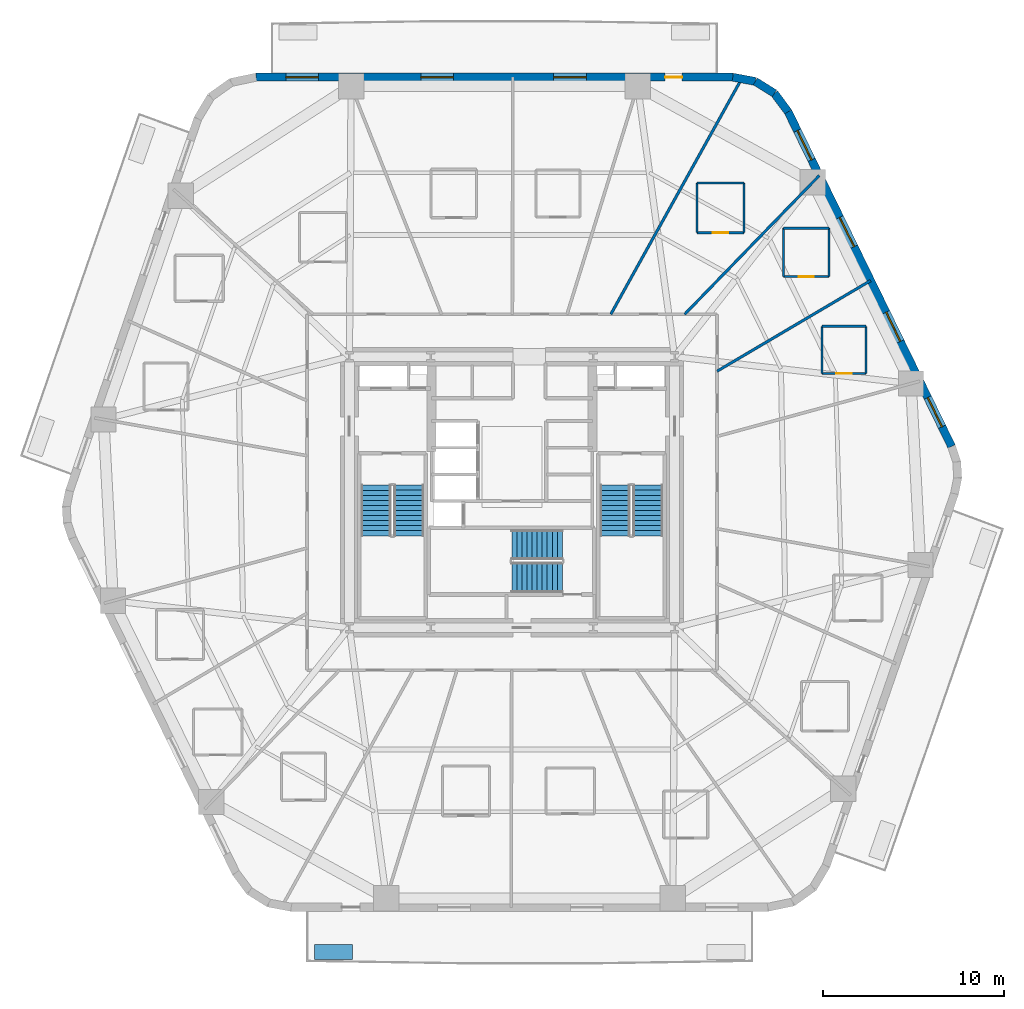
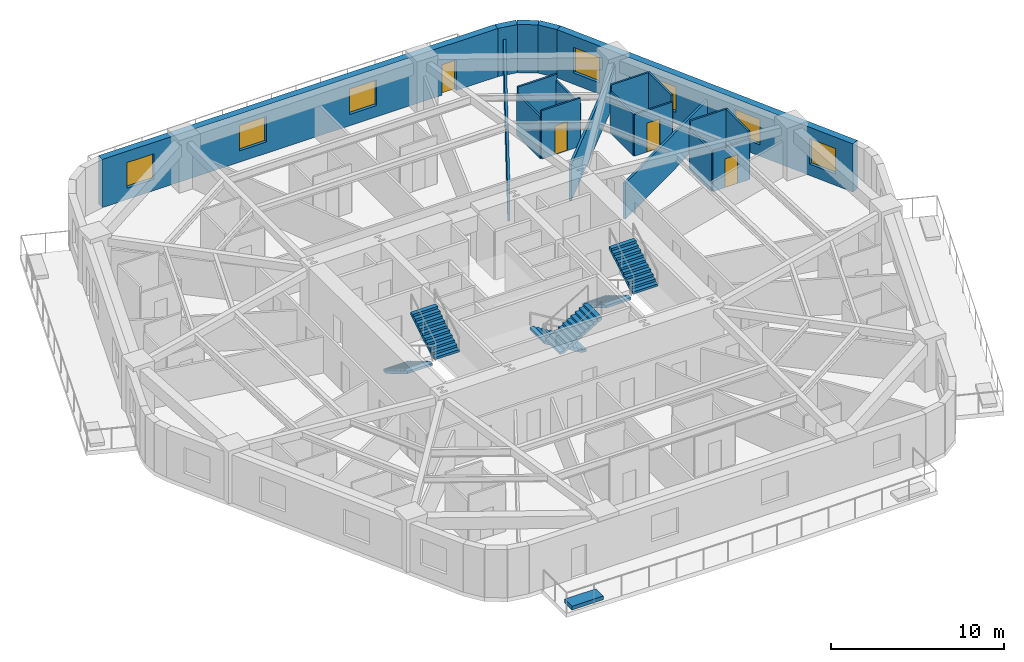
# One storey, part 7 of 11: 20 walls, 7 windows, 6 stair flights, 4 doors, 1 discrete accessory, 11 openings, 3 elements without a shape of their own.
"""IFC4 building model written with IfcOpenShell, lengths in metres."""

from ifc_helpers import new_model, si_unit, direction, frame, frame_2d, origin, origin_2d, place, context, subcontext, project, spatial, polyline, rectangle, outline, extrude, material, layer, layer_set, type_object, element, fill, aggregate, save


model = new_model("IFC4")

# Units and contexts
model_context = context("Model", 3, precision=1e-05, world=origin(), true_north=direction((0.0, 1.0)))
body_context = subcontext(model_context, "Body", "Model", "MODEL_VIEW")
ifc_project = project(units=[si_unit("LENGTHUNIT", "METRE"), si_unit("AREAUNIT", "SQUARE_METRE"), si_unit("VOLUMEUNIT", "CUBIC_METRE"), si_unit("PLANEANGLEUNIT", "RADIAN"), si_unit("MASSUNIT", "GRAM", prefix="KILO")], contexts=[model_context])

# Site, building, storey
site_placement = place(None, origin())
site = spatial("IfcSite", under=ifc_project, at=site_placement, CompositionType="ELEMENT")
building_placement = place(site_placement, origin())
building = spatial("IfcBuilding", under=site, at=building_placement, Name="Kilnhurst Terrace Hotel", CompositionType="ELEMENT")
storey_placement = place(building_placement, frame((0.0, 0.0, 34.199951171875)))
storey = spatial("IfcBuildingStorey", under=building, at=storey_placement, Name="L06", CompositionType="ELEMENT", Elevation=34.199951171875)

# Walls
ifc_material_1 = material(Name="Precast concrete C40/50", Category="concrete")
ifc_layer_1 = layer(ifc_material_1, 0.449951171875, Name="Precast concrete C40/50")
ifc_layer_set_1 = layer_set([ifc_layer_1], Name="Precast concrete C40/50")
wall_type_1 = type_object("IfcWallType", Name="WL-BRK-450", PredefinedType="SOLIDWALL", material=ifc_layer_set_1)
wall_1_placement = place(storey_placement, frame((15.28369140625, 21.0625, 0.0), z_axis=(0.0, 0.0, 1.0), x_axis=(-0.597595366449, 0.801797841104, 0.0)))
element("IfcWall", 1, at=wall_1_placement, inside=storey, type_object=wall_type_1, Name="L06 Rounded Corner Brick Wall C4.1", PredefinedType="SOLIDWALL", context=body_context, shape_type="SweptSolid", body=[
    extrude(rectangle(XDim=1.2685546875, YDim=0.449951171875, at=frame_2d((0.63427734375, 0.0))), origin(), (0.0, 0.0, 1.0), 3.400146484375),
])
wall_2_placement = place(storey_placement, frame((14.525634765625, 22.07958984375, 0.0), z_axis=(0.0, 0.0, 1.0), x_axis=(-0.848185203596, 0.529699783275, 0.0)))
element("IfcWall", 2, at=wall_2_placement, inside=storey, type_object=wall_type_1, Name="L06 Rounded Corner Brick Wall C4.2", PredefinedType="SOLIDWALL", context=body_context, shape_type="SweptSolid", body=[
    extrude(rectangle(XDim=1.247314453125, YDim=0.449951171875, at=frame_2d((0.62353515625, 0.0))), origin(), (0.0, 0.0, 1.0), 3.400146484375),
])
wall_3_placement = place(storey_placement, frame((13.4677734375, 22.740234375, 0.0), z_axis=(0.0, 0.0, 1.0), x_axis=(-0.982717174228, 0.185113358451, 0.0)))
element("IfcWall", 3, at=wall_3_placement, inside=storey, type_object=wall_type_1, Name="L06 Rounded Corner Brick Wall C4.3", PredefinedType="SOLIDWALL", context=body_context, shape_type="SweptSolid", body=[
    extrude(rectangle(XDim=1.268798828125, YDim=0.449951171875, at=frame_2d((0.63427734375, 0.0))), origin(), (0.0, 0.0, 1.0), 3.400146484375),
])

# Wall, openings, windows
wall_4_placement = place(storey_placement, frame((24.335693359375, 2.532470703125, 0.0), z_axis=(0.0, 0.0, 1.0), x_axis=(-0.438931326393, 0.898520612291, 0.0)))
wall_4 = element("IfcWall", 4, at=wall_4_placement, inside=storey, type_object=wall_type_1, Name="L06 Exterior Brick Facade Wall F3", PredefinedType="SOLIDWALL", context=body_context, shape_type="SweptSolid", body=[
    extrude(rectangle(XDim=20.622802734375, YDim=0.449951171875, at=frame_2d((10.3115234375, 0.0))), origin(), (0.0, 0.0, 1.0), 3.400146484375),
])
opening_1_placement = place(wall_4_placement, frame((6.469970703125, 0.0, 0.800048828125)))
opening_1 = element("IfcOpeningElement", 5, at=opening_1_placement, cuts=wall_4, Name="Opening W-01", PredefinedType="OPENING", context=body_context, shape_type="SweptSolid", body=[
    extrude(rectangle(XDim=1.800048828125, YDim=1.800048828125, at=frame_2d((0.89990234375, 0.89990234375))), frame((0.0, 0.23486328125, 0.0), z_axis=(0.0, -1.0, 0.0), x_axis=(1.0, 0.0, 0.0)), (0.0, 0.0, 1.0), 0.469970703125),
])
opening_2_placement = place(wall_4_placement, frame((12.31103515625, 0.0, 0.800048828125)))
opening_2 = element("IfcOpeningElement", 6, at=opening_2_placement, cuts=wall_4, Name="Opening W-01", PredefinedType="OPENING", context=body_context, shape_type="SweptSolid", body=[
    extrude(rectangle(XDim=1.800048828125, YDim=1.800048828125, at=frame_2d((0.89990234375, 0.89990234375))), frame((0.0, 0.23486328125, 0.0), z_axis=(0.0, -1.0, 0.0), x_axis=(1.0, 0.0, 0.0)), (0.0, 0.0, 1.0), 0.469970703125),
])
opening_3_placement = place(wall_4_placement, frame((17.659912109375, 0.0, 0.800048828125)))
opening_3 = element("IfcOpeningElement", 7, at=opening_3_placement, cuts=wall_4, Name="Opening W-01", PredefinedType="OPENING", context=body_context, shape_type="SweptSolid", body=[
    extrude(rectangle(XDim=1.800048828125, YDim=1.800048828125, at=frame_2d((0.89990234375, 0.89990234375))), frame((0.0, 0.23486328125, 0.0), z_axis=(0.0, -1.0, 0.0), x_axis=(1.0, 0.0, 0.0)), (0.0, 0.0, 1.0), 0.469970703125),
])
opening_4_placement = place(wall_4_placement, frame((1.214111328125, 0.0, 0.800048828125)))
opening_4 = element("IfcOpeningElement", 8, at=opening_4_placement, cuts=wall_4, Name="Opening W-01", PredefinedType="OPENING", context=body_context, shape_type="SweptSolid", body=[
    extrude(rectangle(XDim=1.800048828125, YDim=1.800048828125, at=frame_2d((0.89990234375, 0.89990234375))), frame((0.0, 0.23486328125, 0.0), z_axis=(0.0, -1.0, 0.0), x_axis=(1.0, 0.0, 0.0)), (0.0, 0.0, 1.0), 0.469970703125),
])
ifc_material_2 = material(Name="Thermally Broken Bronze Aluminium Alloy 6063-T6 and Low-E Glass", Category="aluminium")
window_type = type_object("IfcWindowType", Name="WIN-1800X1800", PartitioningType="SINGLE_PANEL", PredefinedType="WINDOW", material=ifc_material_2)
window_1_placement = place(opening_1_placement, origin())
window_1 = element("IfcWindow", 9, at=window_1_placement, inside=storey, type_object=window_type, Name="L06 Deep-Set Masonry Window F3.1", OverallHeight=1.800048828125, OverallWidth=1.800048828125, PartitioningType="SINGLE_PANEL", PredefinedType="WINDOW", context=body_context, shape_type="SweptSolid", body=[
    extrude(rectangle(XDim=1.800048828125, YDim=1.800048828125, at=frame_2d((0.89990234375, 0.89990234375))), frame((0.0, 0.030029296875, 0.0), z_axis=(0.0, -1.0, 0.0), x_axis=(1.0, 0.0, 0.0)), (0.0, 0.0, 1.0), 0.06005859375),
])
fill(opening_1, window_1)
window_2_placement = place(opening_2_placement, origin())
window_2 = element("IfcWindow", 10, at=window_2_placement, inside=storey, type_object=window_type, Name="L06 Deep-Set Masonry Window F3.2", OverallHeight=1.800048828125, OverallWidth=1.800048828125, PartitioningType="SINGLE_PANEL", PredefinedType="WINDOW", context=body_context, shape_type="SweptSolid", body=[
    extrude(rectangle(XDim=1.800048828125, YDim=1.800048828125, at=frame_2d((0.89990234375, 0.89990234375))), frame((0.0, 0.030029296875, 0.0), z_axis=(0.0, -1.0, 0.0), x_axis=(1.0, 0.0, 0.0)), (0.0, 0.0, 1.0), 0.06005859375),
])
fill(opening_2, window_2)
window_3_placement = place(opening_3_placement, origin())
window_3 = element("IfcWindow", 11, at=window_3_placement, inside=storey, type_object=window_type, Name="L06 Deep-Set Masonry Window F3.3", OverallHeight=1.800048828125, OverallWidth=1.800048828125, PartitioningType="SINGLE_PANEL", PredefinedType="WINDOW", context=body_context, shape_type="SweptSolid", body=[
    extrude(rectangle(XDim=1.800048828125, YDim=1.800048828125, at=frame_2d((0.89990234375, 0.89990234375))), frame((0.0, 0.030029296875, 0.0), z_axis=(0.0, -1.0, 0.0), x_axis=(1.0, 0.0, 0.0)), (0.0, 0.0, 1.0), 0.06005859375),
])
fill(opening_3, window_3)
window_4_placement = place(opening_4_placement, origin())
window_4 = element("IfcWindow", 12, at=window_4_placement, inside=storey, type_object=window_type, Name="L06 Deep-Set Masonry Window F3.4", OverallHeight=1.800048828125, OverallWidth=1.800048828125, PartitioningType="SINGLE_PANEL", PredefinedType="WINDOW", context=body_context, shape_type="SweptSolid", body=[
    extrude(rectangle(XDim=1.800048828125, YDim=1.800048828125, at=frame_2d((0.89990234375, 0.89990234375))), frame((0.0, 0.030029296875, 0.0), z_axis=(0.0, -1.0, 0.0), x_axis=(1.0, 0.0, 0.0)), (0.0, 0.0, 1.0), 0.06005859375),
])
fill(opening_4, window_4)

# Wall, openings, door, windows
wall_5_placement = place(storey_placement, frame((12.220947265625, 22.97509765625, 0.0), z_axis=(0.0, 0.0, 1.0), x_axis=(-1.0, 0.0, 0.0)))
wall_5 = element("IfcWall", 13, at=wall_5_placement, inside=storey, type_object=wall_type_1, Name="L06 Exterior Brick Facade Wall F4", PredefinedType="SOLIDWALL", context=body_context, shape_type="SweptSolid", body=[
    extrude(rectangle(XDim=26.38916015625, YDim=0.449951171875, at=frame_2d((13.194580078125, 0.0))), origin(), (0.0, 0.0, 1.0), 3.400146484375),
])
opening_5_placement = place(wall_5_placement, frame((2.799072265625, 0.0, 0.0)))
opening_5 = element("IfcOpeningElement", 14, at=opening_5_placement, cuts=wall_5, Name="Opening BD-950", PredefinedType="OPENING", context=body_context, shape_type="SweptSolid", body=[
    extrude(rectangle(XDim=0.949951171875, YDim=2.14990234375, at=frame_2d((0.47509765625, 1.074951171875))), frame((0.0, 0.23486328125, 0.0), z_axis=(0.0, -1.0, 0.0), x_axis=(1.0, 0.0, 0.0)), (0.0, 0.0, 1.0), 0.469970703125),
])
opening_6_placement = place(wall_5_placement, frame((8.110107421875, 0.0, 0.800048828125)))
opening_6 = element("IfcOpeningElement", 15, at=opening_6_placement, cuts=wall_5, Name="Opening W-01", PredefinedType="OPENING", context=body_context, shape_type="SweptSolid", body=[
    extrude(rectangle(XDim=1.800048828125, YDim=1.800048828125, at=frame_2d((0.89990234375, 0.89990234375))), frame((0.0, 0.23486328125, 0.0), z_axis=(0.0, -1.0, 0.0), x_axis=(1.0, 0.0, 0.0)), (0.0, 0.0, 1.0), 0.469970703125),
])
opening_7_placement = place(wall_5_placement, frame((15.4599609375, 0.0, 0.800048828125)))
opening_7 = element("IfcOpeningElement", 16, at=opening_7_placement, cuts=wall_5, Name="Opening W-01", PredefinedType="OPENING", context=body_context, shape_type="SweptSolid", body=[
    extrude(rectangle(XDim=1.800048828125, YDim=1.800048828125, at=frame_2d((0.89990234375, 0.89990234375))), frame((0.0, 0.23486328125, 0.0), z_axis=(0.0, -1.0, 0.0), x_axis=(1.0, 0.0, 0.0)), (0.0, 0.0, 1.0), 0.469970703125),
])
opening_8_placement = place(wall_5_placement, frame((22.93798828125, 0.0, 0.800048828125)))
opening_8 = element("IfcOpeningElement", 17, at=opening_8_placement, cuts=wall_5, Name="Opening W-01", PredefinedType="OPENING", context=body_context, shape_type="SweptSolid", body=[
    extrude(rectangle(XDim=1.800048828125, YDim=1.800048828125, at=frame_2d((0.89990234375, 0.89990234375))), frame((0.0, 0.23486328125, 0.0), z_axis=(0.0, -1.0, 0.0), x_axis=(1.0, 0.0, 0.0)), (0.0, 0.0, 1.0), 0.469970703125),
])
ifc_material_3 = material(Name="Thermally Broken Bronze Aluminium Alloy 6063-T6 and Laminated Glass", Category="aluminium")
door_type_1 = type_object("IfcDoorType", Name="DR-EXT-BAL-950", OperationType="NOTDEFINED", PredefinedType="DOOR", material=ifc_material_3)
door_1_placement = place(opening_5_placement, origin())
door_1 = element("IfcDoor", 18, at=door_1_placement, inside=storey, type_object=door_type_1, Name="L06 Planted Balcony Door BAL-L2A", OperationType="SINGLE_SWING_RIGHT", OverallHeight=2.14990234375, OverallWidth=0.949951171875, PredefinedType="DOOR", context=body_context, shape_type="SweptSolid", body=[
    extrude(rectangle(XDim=0.949951171875, YDim=2.14990234375, at=frame_2d((0.47509765625, 1.074951171875))), frame((0.0, 0.02490234375, 0.0), z_axis=(0.0, -1.0, 0.0), x_axis=(1.0, 0.0, 0.0)), (0.0, 0.0, 1.0), 0.050048828125),
])
fill(opening_5, door_1)
window_5_placement = place(opening_6_placement, origin())
window_5 = element("IfcWindow", 19, at=window_5_placement, inside=storey, type_object=window_type, Name="L06 Deep-Set Masonry Window F4.1", OverallHeight=1.800048828125, OverallWidth=1.800048828125, PartitioningType="SINGLE_PANEL", PredefinedType="WINDOW", context=body_context, shape_type="SweptSolid", body=[
    extrude(rectangle(XDim=1.800048828125, YDim=1.800048828125, at=frame_2d((0.89990234375, 0.89990234375))), frame((0.0, 0.030029296875, 0.0), z_axis=(0.0, -1.0, 0.0), x_axis=(1.0, 0.0, 0.0)), (0.0, 0.0, 1.0), 0.06005859375),
])
fill(opening_6, window_5)
window_6_placement = place(opening_7_placement, origin())
window_6 = element("IfcWindow", 20, at=window_6_placement, inside=storey, type_object=window_type, Name="L06 Deep-Set Masonry Window F4.2", OverallHeight=1.800048828125, OverallWidth=1.800048828125, PartitioningType="SINGLE_PANEL", PredefinedType="WINDOW", context=body_context, shape_type="SweptSolid", body=[
    extrude(rectangle(XDim=1.800048828125, YDim=1.800048828125, at=frame_2d((0.89990234375, 0.89990234375))), frame((0.0, 0.030029296875, 0.0), z_axis=(0.0, -1.0, 0.0), x_axis=(1.0, 0.0, 0.0)), (0.0, 0.0, 1.0), 0.06005859375),
])
fill(opening_7, window_6)
window_7_placement = place(opening_8_placement, origin())
window_7 = element("IfcWindow", 21, at=window_7_placement, inside=storey, type_object=window_type, Name="L06 Deep-Set Masonry Window F4.3", OverallHeight=1.800048828125, OverallWidth=1.800048828125, PartitioningType="SINGLE_PANEL", PredefinedType="WINDOW", context=body_context, shape_type="SweptSolid", body=[
    extrude(rectangle(XDim=1.800048828125, YDim=1.800048828125, at=frame_2d((0.89990234375, 0.89990234375))), frame((0.0, 0.030029296875, 0.0), z_axis=(0.0, -1.0, 0.0), x_axis=(1.0, 0.0, 0.0)), (0.0, 0.0, 1.0), 0.06005859375),
])
fill(opening_8, window_7)

# Walls
ifc_material_4 = material(Name="STC-58 Acoustic Twin-Frame Guestroom Demising Partition")
ifc_layer_2 = layer(ifc_material_4, 0.14990234375, Name="STC-58 Acoustic Twin-Frame Guestroom Demising Partition")
ifc_layer_set_2 = layer_set([ifc_layer_2], Name="STC-58 Acoustic Twin-Frame Guestroom Demising Partition")
wall_type_2 = type_object("IfcWallType", Name="WL-DEM-150", PredefinedType="PARTITIONING", material=ifc_layer_set_2)
wall_6_placement = place(storey_placement, frame((11.35009765625, 6.698486328125, 0.0), z_axis=(0.0, 0.0, 1.0), x_axis=(0.861198232886, 0.508269223614, 0.0)))
element("IfcWall", 22, at=wall_6_placement, inside=storey, type_object=wall_type_2, Name="L06 Interior Wall WL-L06-DEM-MID01-02-1", PredefinedType="PARTITIONING", context=body_context, shape_type="SweptSolid", body=[
    extrude(rectangle(XDim=9.869873046875, YDim=0.14990234375, at=frame_2d((4.93505859375, 0.0))), origin(), (0.0, 0.0, 1.0), 2.5400390625),
])
wall_7_placement = place(storey_placement, frame((9.5576171875, 9.85009765625, 0.0), z_axis=(0.0, 0.0, 1.0), x_axis=(0.69638346089, 0.717669893056, 0.0)))
element("IfcWall", 23, at=wall_7_placement, inside=storey, type_object=wall_type_2, Name="L06 Interior Wall WL-L06-DEM-COL02-03-1", PredefinedType="PARTITIONING", context=body_context, shape_type="SweptSolid", body=[
    extrude(rectangle(XDim=10.700927734375, YDim=0.14990234375, at=frame_2d((5.3505859375, 0.0))), origin(), (0.0, 0.0, 1.0), 2.5400390625),
])
wall_8_placement = place(storey_placement, frame((5.470703125, 9.85009765625, 0.0), z_axis=(0.0, 0.0, 1.0), x_axis=(0.48553323157, 0.874218211341, 0.0)))
element("IfcWall", 24, at=wall_8_placement, inside=storey, type_object=wall_type_2, Name="L06 Interior Wall WL-L06-DEM-MID02-04-1", PredefinedType="PARTITIONING", context=body_context, shape_type="SweptSolid", body=[
    extrude(rectangle(XDim=14.739501953125, YDim=0.14990234375, at=frame_2d((7.36962890625, 0.0))), origin(), (0.0, 0.0, 1.0), 2.5400390625),
])

# Wall, opening, door
ifc_material_5 = material(Name="120 mm Moisture-Resistant Tile-Backed Bathroom Partition")
ifc_layer_3 = layer(ifc_material_5, 0.1201171875, Name="120 mm Moisture-Resistant Tile-Backed Bathroom Partition")
ifc_layer_set_3 = layer_set([ifc_layer_3], Name="120 mm Moisture-Resistant Tile-Backed Bathroom Partition")
wall_type_3 = type_object("IfcWallType", Name="WL-PART-120", PredefinedType="PARTITIONING", material=ifc_layer_set_3)
wall_9_placement = place(storey_placement, frame((17.157958984375, 6.574951171875, 0.0), z_axis=(0.0, 0.0, 1.0), x_axis=(1.0, 0.0, 0.0)))
wall_9 = element("IfcWall", 25, at=wall_9_placement, inside=storey, type_object=wall_type_3, Name="L06 Interior Wall WL-L06-BTH-01-1", PredefinedType="PARTITIONING", context=body_context, shape_type="SweptSolid", body=[
    extrude(rectangle(XDim=2.43994140625, YDim=0.1201171875, at=frame_2d((1.219970703125, 0.0))), origin(), (0.0, 0.0, 1.0), 2.840087890625),
])
opening_9_placement = place(wall_9_placement, frame((0.794921875, 0.0, 0.0)))
opening_9 = element("IfcOpeningElement", 26, at=opening_9_placement, cuts=wall_9, Name="Opening D-08A", PredefinedType="OPENING", context=body_context, shape_type="SweptSolid", body=[
    extrude(rectangle(XDim=0.85009765625, YDim=2.030029296875, at=frame_2d((0.425048828125, 1.01513671875))), frame((0.0, 0.070068359375, 0.0), z_axis=(0.0, -1.0, 0.0), x_axis=(1.0, 0.0, 0.0)), (0.0, 0.0, 1.0), 0.14013671875),
])
ifc_material_6 = material(Name="Moisture-Resistant Lacquered En-suite Bathroom Door")
door_type_2 = type_object("IfcDoorType", Name="DR-INT-850", OperationType="NOTDEFINED", PredefinedType="DOOR", material=ifc_material_6)
door_2_placement = place(opening_9_placement, origin())
door_2 = element("IfcDoor", 27, at=door_2_placement, inside=storey, type_object=door_type_2, Name="L06 En-suite Bathroom Door 1", OperationType="SINGLE_SWING_RIGHT", OverallHeight=2.030029296875, OverallWidth=0.85009765625, PredefinedType="DOOR", context=body_context, shape_type="SweptSolid", body=[
    extrude(rectangle(XDim=0.85009765625, YDim=2.030029296875, at=frame_2d((0.425048828125, 1.01513671875))), frame((0.0, 0.02490234375, 0.0), z_axis=(0.0, -1.0, 0.0), x_axis=(1.0, 0.0, 0.0)), (0.0, 0.0, 1.0), 0.050048828125),
])
fill(opening_9, door_2)

# Walls
wall_10_placement = place(storey_placement, frame((19.597900390625, 6.574951171875, 0.0), z_axis=(0.0, 0.0, 1.0), x_axis=(0.0, 1.0, 0.0)))
element("IfcWall", 28, at=wall_10_placement, inside=storey, type_object=wall_type_3, Name="L06 Interior Wall WL-L06-BTH-01-2", PredefinedType="PARTITIONING", context=body_context, shape_type="SweptSolid", body=[
    extrude(rectangle(XDim=2.610107421875, YDim=0.1201171875, at=frame_2d((1.30517578125, 0.0))), origin(), (0.0, 0.0, 1.0), 3.400146484375),
])
wall_11_placement = place(storey_placement, frame((19.597900390625, 9.18505859375, 0.0), z_axis=(0.0, 0.0, 1.0), x_axis=(-1.0, 0.0, 0.0)))
element("IfcWall", 29, at=wall_11_placement, inside=storey, type_object=wall_type_3, Name="L06 Interior Wall WL-L06-BTH-01-3", PredefinedType="PARTITIONING", context=body_context, shape_type="SweptSolid", body=[
    extrude(rectangle(XDim=2.43994140625, YDim=0.1201171875, at=frame_2d((1.219970703125, 0.0))), origin(), (0.0, 0.0, 1.0), 3.400146484375),
])
wall_12_placement = place(storey_placement, frame((17.157958984375, 9.18505859375, 0.0), z_axis=(0.0, 0.0, 1.0), x_axis=(0.0, -1.0, 0.0)))
element("IfcWall", 30, at=wall_12_placement, inside=storey, type_object=wall_type_3, Name="L06 Interior Wall WL-L06-BTH-01-4", PredefinedType="PARTITIONING", context=body_context, shape_type="SweptSolid", body=[
    extrude(rectangle(XDim=2.610107421875, YDim=0.1201171875, at=frame_2d((1.30517578125, 0.0))), origin(), (0.0, 0.0, 1.0), 2.840087890625),
])

# Wall, opening, door
wall_13_placement = place(storey_placement, frame((15.029052734375, 11.93603515625, 0.0), z_axis=(0.0, 0.0, 1.0), x_axis=(1.0, 0.0, 0.0)))
wall_13 = element("IfcWall", 31, at=wall_13_placement, inside=storey, type_object=wall_type_3, Name="L06 Interior Wall WL-L06-BTH-02-1", PredefinedType="PARTITIONING", context=body_context, shape_type="SweptSolid", body=[
    extrude(rectangle(XDim=2.52001953125, YDim=0.1201171875, at=frame_2d((1.260009765625, 0.0))), origin(), (0.0, 0.0, 1.0), 2.926513671875),
])
opening_10_placement = place(wall_13_placement, frame((0.8349609375, 0.0, 0.0)))
opening_10 = element("IfcOpeningElement", 32, at=opening_10_placement, cuts=wall_13, Name="Opening D-08A", PredefinedType="OPENING", context=body_context, shape_type="SweptSolid", body=[
    extrude(rectangle(XDim=0.85009765625, YDim=2.030029296875, at=frame_2d((0.425048828125, 1.01513671875))), frame((0.0, 0.070068359375, 0.0), z_axis=(0.0, -1.0, 0.0), x_axis=(1.0, 0.0, 0.0)), (0.0, 0.0, 1.0), 0.14013671875),
])
door_3_placement = place(opening_10_placement, origin())
door_3 = element("IfcDoor", 33, at=door_3_placement, inside=storey, type_object=door_type_2, Name="L06 En-suite Bathroom Door 2", OperationType="SINGLE_SWING_LEFT", OverallHeight=2.030029296875, OverallWidth=0.85009765625, PredefinedType="DOOR", context=body_context, shape_type="SweptSolid", body=[
    extrude(rectangle(XDim=0.85009765625, YDim=2.030029296875, at=frame_2d((0.425048828125, 1.01513671875))), frame((0.0, 0.02490234375, 0.0), z_axis=(0.0, -1.0, 0.0), x_axis=(1.0, 0.0, 0.0)), (0.0, 0.0, 1.0), 0.050048828125),
])
fill(opening_10, door_3)

# Walls
wall_14_placement = place(storey_placement, frame((17.549072265625, 11.93603515625, 0.0), z_axis=(0.0, 0.0, 1.0), x_axis=(0.0, 1.0, 0.0)))
element("IfcWall", 34, at=wall_14_placement, inside=storey, type_object=wall_type_3, Name="L06 Interior Wall WL-L06-BTH-02-2", PredefinedType="PARTITIONING", context=body_context, shape_type="SweptSolid", body=[
    extrude(rectangle(XDim=2.679931640625, YDim=0.1201171875, at=frame_2d((1.33984375, 0.0))), origin(), (0.0, 0.0, 1.0), 3.400146484375),
])
wall_15_placement = place(storey_placement, frame((17.549072265625, 14.615966796875, 0.0), z_axis=(0.0, 0.0, 1.0), x_axis=(-1.0, 0.0, 0.0)))
element("IfcWall", 35, at=wall_15_placement, inside=storey, type_object=wall_type_3, Name="L06 Interior Wall WL-L06-BTH-02-3", PredefinedType="PARTITIONING", context=body_context, shape_type="SweptSolid", body=[
    extrude(rectangle(XDim=2.52001953125, YDim=0.1201171875, at=frame_2d((1.260009765625, 0.0))), origin(), (0.0, 0.0, 1.0), 3.400146484375),
])
wall_16_placement = place(storey_placement, frame((15.029052734375, 14.615966796875, 0.0), z_axis=(0.0, 0.0, 1.0), x_axis=(0.0, -1.0, 0.0)))
element("IfcWall", 36, at=wall_16_placement, inside=storey, type_object=wall_type_3, Name="L06 Interior Wall WL-L06-BTH-02-4", PredefinedType="PARTITIONING", context=body_context, shape_type="SweptSolid", body=[
    extrude(rectangle(XDim=2.679931640625, YDim=0.1201171875, at=frame_2d((1.33984375, 0.0))), origin(), (0.0, 0.0, 1.0), 2.926513671875),
])

# Wall, opening, door
wall_17_placement = place(storey_placement, frame((10.235107421875, 14.365966796875, 0.0), z_axis=(0.0, 0.0, 1.0), x_axis=(1.0, 0.0, 0.0)))
wall_17 = element("IfcWall", 37, at=wall_17_placement, inside=storey, type_object=wall_type_3, Name="L06 Interior Wall WL-L06-BTH-03-1", PredefinedType="PARTITIONING", context=body_context, shape_type="SweptSolid", body=[
    extrude(rectangle(XDim=2.599853515625, YDim=0.1201171875, at=frame_2d((1.2998046875, 0.0))), origin(), (0.0, 0.0, 1.0), 3.400146484375),
])
opening_11_placement = place(wall_17_placement, frame((0.875, 0.0, 0.0)))
opening_11 = element("IfcOpeningElement", 38, at=opening_11_placement, cuts=wall_17, Name="Opening D-08A", PredefinedType="OPENING", context=body_context, shape_type="SweptSolid", body=[
    extrude(rectangle(XDim=0.85009765625, YDim=2.030029296875, at=frame_2d((0.425048828125, 1.01513671875))), frame((0.0, 0.070068359375, 0.0), z_axis=(0.0, -1.0, 0.0), x_axis=(1.0, 0.0, 0.0)), (0.0, 0.0, 1.0), 0.14013671875),
])
door_4_placement = place(opening_11_placement, origin())
door_4 = element("IfcDoor", 39, at=door_4_placement, inside=storey, type_object=door_type_2, Name="L06 En-suite Bathroom Door 3", OperationType="SINGLE_SWING_RIGHT", OverallHeight=2.030029296875, OverallWidth=0.85009765625, PredefinedType="DOOR", context=body_context, shape_type="SweptSolid", body=[
    extrude(rectangle(XDim=0.85009765625, YDim=2.030029296875, at=frame_2d((0.425048828125, 1.01513671875))), frame((0.0, 0.02490234375, 0.0), z_axis=(0.0, -1.0, 0.0), x_axis=(1.0, 0.0, 0.0)), (0.0, 0.0, 1.0), 0.050048828125),
])
fill(opening_11, door_4)

# Walls
wall_18_placement = place(storey_placement, frame((12.8349609375, 14.365966796875, 0.0), z_axis=(0.0, 0.0, 1.0), x_axis=(0.0, 1.0, 0.0)))
element("IfcWall", 40, at=wall_18_placement, inside=storey, type_object=wall_type_3, Name="L06 Interior Wall WL-L06-BTH-03-2", PredefinedType="PARTITIONING", context=body_context, shape_type="SweptSolid", body=[
    extrude(rectangle(XDim=2.75, YDim=0.1201171875, at=frame_2d((1.375, 0.0))), origin(), (0.0, 0.0, 1.0), 2.972412109375),
])
wall_19_placement = place(storey_placement, frame((12.8349609375, 17.115966796875, 0.0), z_axis=(0.0, 0.0, 1.0), x_axis=(-1.0, 0.0, 0.0)))
element("IfcWall", 41, at=wall_19_placement, inside=storey, type_object=wall_type_3, Name="L06 Interior Wall WL-L06-BTH-03-3", PredefinedType="PARTITIONING", context=body_context, shape_type="SweptSolid", body=[
    extrude(rectangle(XDim=2.599853515625, YDim=0.1201171875, at=frame_2d((1.2998046875, 0.0))), origin(), (0.0, 0.0, 1.0), 3.400146484375),
])
wall_20_placement = place(storey_placement, frame((10.235107421875, 17.115966796875, 0.0), z_axis=(0.0, 0.0, 1.0), x_axis=(0.0, -1.0, 0.0)))
element("IfcWall", 42, at=wall_20_placement, inside=storey, type_object=wall_type_3, Name="L06 Interior Wall WL-L06-BTH-03-4", PredefinedType="PARTITIONING", context=body_context, shape_type="SweptSolid", body=[
    extrude(rectangle(XDim=2.75, YDim=0.1201171875, at=frame_2d((1.375, 0.0))), origin(), (0.0, 0.0, 1.0), 2.972412109375),
])

# Stair, stair flights
ifc_material_7 = material(Name="Concrete C50/60", Category="concrete")
stair_type = type_object("IfcStairType", Name="STR-CORE-1660", PredefinedType="HALF_TURN_STAIR", material=ifc_material_7)
stair_1_placement = place(storey_placement, origin())
stair_1 = element("IfcStair", 43, at=stair_1_placement, inside=storey, type_object=stair_type, Name="L06 ST-1", PredefinedType="HALF_TURN_STAIR")
stair_flight_type = type_object("IfcStairFlightType", Name="FLT-RC-1660", PredefinedType="STRAIGHT", material=ifc_material_7)
stair_flight_1_placement = place(storey_placement, frame((-7.52001953125, 0.389892578125, 0.0), z_axis=(0.0, 0.0, 1.0), x_axis=(0.0, -1.0, 0.0)))
stair_flight_1 = element("IfcStairFlight", 44, at=stair_flight_1_placement, type_object=stair_flight_type, Name="ST-1 flight 1", NumberOfRisers=11, NumberOfTreads=10, PredefinedType="STRAIGHT", RiserHeight=0.168181818, TreadLength=0.28, context=body_context, shape_type="SweptSolid", body=[
    extrude(outline(polyline([(0.0, 0.0), (0.0, 0.168212890625), (0.280029296875, 0.168212890625), (0.280029296875, 0.33642578125), (0.56005859375, 0.33642578125), (0.56005859375, 0.504638671875), (0.840087890625, 0.504638671875), (0.840087890625, 0.672607421875), (1.1201171875, 0.672607421875), (1.1201171875, 0.8408203125), (1.39990234375, 0.8408203125), (1.39990234375, 1.009033203125), (1.679931640625, 1.009033203125), (1.679931640625, 1.17724609375), (1.9599609375, 1.17724609375), (1.9599609375, 1.345458984375), (2.239990234375, 1.345458984375), (2.239990234375, 1.513671875), (2.52001953125, 1.513671875), (2.52001953125, 1.681884765625), (2.800048828125, 1.681884765625), (2.800048828125, 1.85009765625), (2.800048828125, 1.5068359375), (0.291015625, 0.0), (0.0, 0.0)])), frame((0.0, 0.830078125, 0.0), z_axis=(0.0, -1.0, 0.0), x_axis=(1.0, 0.0, 0.0)), (0.0, 0.0, 1.0), 1.659912109375),
])
stair_flight_2_placement = place(storey_placement, frame((-5.7099609375, -2.409912109375, 1.85009765625), z_axis=(0.0, 0.0, 1.0), x_axis=(0.0, 1.0, 0.0)))
stair_flight_2 = element("IfcStairFlight", 45, at=stair_flight_2_placement, type_object=stair_flight_type, Name="ST-1 flight 2", NumberOfRisers=11, NumberOfTreads=10, PredefinedType="STRAIGHT", RiserHeight=0.168181818, TreadLength=0.28, context=body_context, shape_type="SweptSolid", body=[
    extrude(outline(polyline([(0.0, 0.0), (0.0, 0.168212890625), (0.280029296875, 0.168212890625), (0.280029296875, 0.33642578125), (0.56005859375, 0.33642578125), (0.56005859375, 0.504638671875), (0.840087890625, 0.504638671875), (0.840087890625, 0.672607421875), (1.1201171875, 0.672607421875), (1.1201171875, 0.8408203125), (1.39990234375, 0.8408203125), (1.39990234375, 1.009033203125), (1.679931640625, 1.009033203125), (1.679931640625, 1.17724609375), (1.9599609375, 1.17724609375), (1.9599609375, 1.345458984375), (2.239990234375, 1.345458984375), (2.239990234375, 1.513671875), (2.52001953125, 1.513671875), (2.52001953125, 1.681884765625), (2.800048828125, 1.681884765625), (2.800048828125, 1.85009765625), (2.800048828125, 1.5068359375), (0.291015625, 0.0), (0.0, 0.0)])), frame((0.0, 0.830078125, 0.0), z_axis=(0.0, -1.0, 0.0), x_axis=(1.0, 0.0, 0.0)), (0.0, 0.0, 1.0), 1.659912109375),
])
aggregate(stair_1, [stair_flight_1, stair_flight_2])

stair_2_placement = place(storey_placement, origin())
stair_2 = element("IfcStair", 46, at=stair_2_placement, inside=storey, type_object=stair_type, Name="L06 ST-2", PredefinedType="HALF_TURN_STAIR")
stair_flight_3_placement = place(storey_placement, frame((5.7099609375, 0.389892578125, 0.0), z_axis=(0.0, 0.0, 1.0), x_axis=(0.0, -1.0, 0.0)))
stair_flight_3 = element("IfcStairFlight", 47, at=stair_flight_3_placement, type_object=stair_flight_type, Name="ST-2 flight 1", NumberOfRisers=11, NumberOfTreads=10, PredefinedType="STRAIGHT", RiserHeight=0.168181818, TreadLength=0.28, context=body_context, shape_type="SweptSolid", body=[
    extrude(outline(polyline([(0.0, 0.0), (0.0, 0.168212890625), (0.280029296875, 0.168212890625), (0.280029296875, 0.33642578125), (0.56005859375, 0.33642578125), (0.56005859375, 0.504638671875), (0.840087890625, 0.504638671875), (0.840087890625, 0.672607421875), (1.1201171875, 0.672607421875), (1.1201171875, 0.8408203125), (1.39990234375, 0.8408203125), (1.39990234375, 1.009033203125), (1.679931640625, 1.009033203125), (1.679931640625, 1.17724609375), (1.9599609375, 1.17724609375), (1.9599609375, 1.345458984375), (2.239990234375, 1.345458984375), (2.239990234375, 1.513671875), (2.52001953125, 1.513671875), (2.52001953125, 1.681884765625), (2.800048828125, 1.681884765625), (2.800048828125, 1.85009765625), (2.800048828125, 1.5068359375), (0.291015625, 0.0), (0.0, 0.0)])), frame((0.0, 0.830078125, 0.0), z_axis=(0.0, -1.0, 0.0), x_axis=(1.0, 0.0, 0.0)), (0.0, 0.0, 1.0), 1.659912109375),
])
stair_flight_4_placement = place(storey_placement, frame((7.52001953125, -2.409912109375, 1.85009765625), z_axis=(0.0, 0.0, 1.0), x_axis=(0.0, 1.0, 0.0)))
stair_flight_4 = element("IfcStairFlight", 48, at=stair_flight_4_placement, type_object=stair_flight_type, Name="ST-2 flight 2", NumberOfRisers=11, NumberOfTreads=10, PredefinedType="STRAIGHT", RiserHeight=0.168181818, TreadLength=0.28, context=body_context, shape_type="SweptSolid", body=[
    extrude(outline(polyline([(0.0, 0.0), (0.0, 0.168212890625), (0.280029296875, 0.168212890625), (0.280029296875, 0.33642578125), (0.56005859375, 0.33642578125), (0.56005859375, 0.504638671875), (0.840087890625, 0.504638671875), (0.840087890625, 0.672607421875), (1.1201171875, 0.672607421875), (1.1201171875, 0.8408203125), (1.39990234375, 0.8408203125), (1.39990234375, 1.009033203125), (1.679931640625, 1.009033203125), (1.679931640625, 1.17724609375), (1.9599609375, 1.17724609375), (1.9599609375, 1.345458984375), (2.239990234375, 1.345458984375), (2.239990234375, 1.513671875), (2.52001953125, 1.513671875), (2.52001953125, 1.681884765625), (2.800048828125, 1.681884765625), (2.800048828125, 1.85009765625), (2.800048828125, 1.5068359375), (0.291015625, 0.0), (0.0, 0.0)])), frame((0.0, 0.830078125, 0.0), z_axis=(0.0, -1.0, 0.0), x_axis=(1.0, 0.0, 0.0)), (0.0, 0.0, 1.0), 1.659912109375),
])
aggregate(stair_2, [stair_flight_3, stair_flight_4])

stair_3_placement = place(storey_placement, origin())
stair_3 = element("IfcStair", 49, at=stair_3_placement, inside=storey, type_object=stair_type, Name="L06 ST-3", PredefinedType="HALF_TURN_STAIR")
stair_flight_5_placement = place(storey_placement, frame((2.7900390625, -2.909912109375, 0.0), z_axis=(0.0, 0.0, 1.0), x_axis=(-1.0, 0.0, 0.0)))
stair_flight_5 = element("IfcStairFlight", 50, at=stair_flight_5_placement, type_object=stair_flight_type, Name="ST-3 flight 1", NumberOfRisers=11, NumberOfTreads=10, PredefinedType="STRAIGHT", RiserHeight=0.168181818, TreadLength=0.28, context=body_context, shape_type="SweptSolid", body=[
    extrude(outline(polyline([(0.0, 0.0), (0.0, 0.168212890625), (0.280029296875, 0.168212890625), (0.280029296875, 0.33642578125), (0.56005859375, 0.33642578125), (0.56005859375, 0.504638671875), (0.840087890625, 0.504638671875), (0.840087890625, 0.672607421875), (1.1201171875, 0.672607421875), (1.1201171875, 0.8408203125), (1.39990234375, 0.8408203125), (1.39990234375, 1.009033203125), (1.679931640625, 1.009033203125), (1.679931640625, 1.17724609375), (1.9599609375, 1.17724609375), (1.9599609375, 1.345458984375), (2.239990234375, 1.345458984375), (2.239990234375, 1.513671875), (2.52001953125, 1.513671875), (2.52001953125, 1.681884765625), (2.800048828125, 1.681884765625), (2.800048828125, 1.85009765625), (2.800048828125, 1.5068359375), (0.291015625, 0.0), (0.0, 0.0)])), frame((0.0, 0.830078125, 0.0), z_axis=(0.0, -1.0, 0.0), x_axis=(1.0, 0.0, 0.0)), (0.0, 0.0, 1.0), 1.659912109375),
])
stair_flight_6_placement = place(storey_placement, frame((-0.010009765625, -4.719970703125, 1.85009765625), z_axis=(0.0, 0.0, 1.0), x_axis=(1.0, 0.0, 0.0)))
stair_flight_6 = element("IfcStairFlight", 51, at=stair_flight_6_placement, type_object=stair_flight_type, Name="ST-3 flight 2", NumberOfRisers=11, NumberOfTreads=10, PredefinedType="STRAIGHT", RiserHeight=0.168181818, TreadLength=0.28, context=body_context, shape_type="SweptSolid", body=[
    extrude(outline(polyline([(0.0, 0.0), (0.0, 0.168212890625), (0.280029296875, 0.168212890625), (0.280029296875, 0.33642578125), (0.56005859375, 0.33642578125), (0.56005859375, 0.504638671875), (0.840087890625, 0.504638671875), (0.840087890625, 0.672607421875), (1.1201171875, 0.672607421875), (1.1201171875, 0.8408203125), (1.39990234375, 0.8408203125), (1.39990234375, 1.009033203125), (1.679931640625, 1.009033203125), (1.679931640625, 1.17724609375), (1.9599609375, 1.17724609375), (1.9599609375, 1.345458984375), (2.239990234375, 1.345458984375), (2.239990234375, 1.513671875), (2.52001953125, 1.513671875), (2.52001953125, 1.681884765625), (2.800048828125, 1.681884765625), (2.800048828125, 1.85009765625), (2.800048828125, 1.5068359375), (0.291015625, 0.0), (0.0, 0.0)])), frame((0.0, 0.830078125, 0.0), z_axis=(0.0, -1.0, 0.0), x_axis=(1.0, 0.0, 0.0)), (0.0, 0.0, 1.0), 1.659912109375),
])
aggregate(stair_3, [stair_flight_5, stair_flight_6])

# Discrete accessory
ifc_material_8 = material(Name="Precast Concrete C40/50 Tree Planter", Category="concrete")
discrete_accessory_type = type_object("IfcDiscreteAccessoryType", Name="PLN-TREE-260", PredefinedType="USERDEFINED", material=ifc_material_8)
discrete_accessory_placement = place(storey_placement, frame((-9.89208984375, -25.449951171875, 0.0), z_axis=(0.0, 0.0, 1.0), x_axis=(1.0, 0.0, 0.0)))
element("IfcDiscreteAccessory", 52, at=discrete_accessory_placement, inside=storey, type_object=discrete_accessory_type, Name="L06 Structural Tree Planter Box PLANTER BAL-L1A.1", ObjectType="PLANTER", PredefinedType="USERDEFINED", context=body_context, shape_type="SweptSolid", body=[
    extrude(rectangle(XDim=2.10009765625, YDim=0.85009765625, at=origin_2d()), origin(), (0.0, 0.0, 1.0), 0.260009765625),
])

save(model, "model.ifc")
